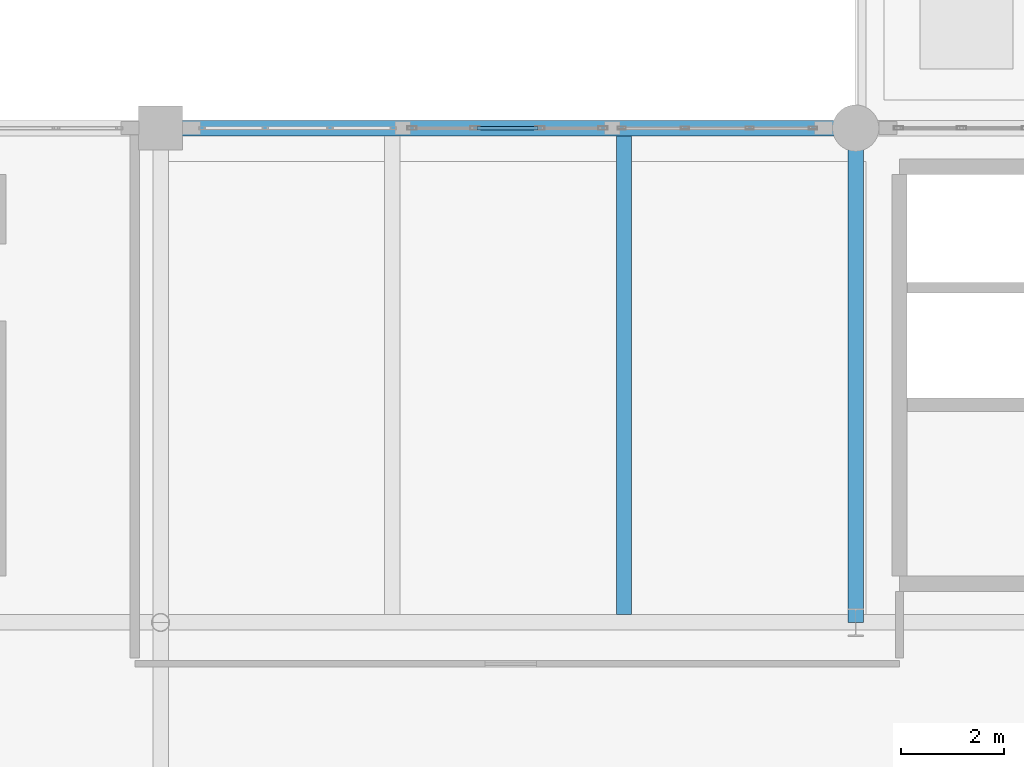
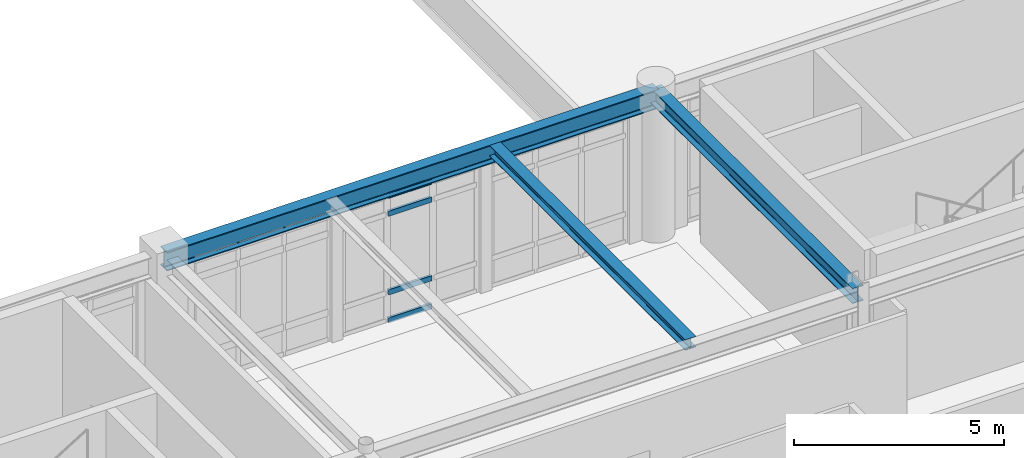
# One storey, part 15 of 55: 4 members, 3 beams, 1 element without a shape of its own.
"""IFC4 building model written with IfcOpenShell, lengths in metres."""

from ifc_helpers import new_model, si_unit, direction, frame, origin, origin_2d, place, context, subcontext, project, spatial, hollow_rectangle, i_section, extrude, material, layer, layer_set, material_profile, profile_set, type_object, element, aggregate, save


model = new_model("IFC4")

# Units and contexts
model_context = context("Model", 3, precision=1e-05, world=origin(), true_north=direction((0.0, 1.0)))
body_context = subcontext(model_context, "Body", "Model", "MODEL_VIEW")
ifc_project = project(units=[si_unit("LENGTHUNIT", "METRE"), si_unit("AREAUNIT", "SQUARE_METRE"), si_unit("VOLUMEUNIT", "CUBIC_METRE"), si_unit("PLANEANGLEUNIT", "RADIAN"), si_unit("MASSUNIT", "GRAM", prefix="KILO")], contexts=[model_context])

# Site, building, storey
site_placement = place(None, origin())
site = spatial("IfcSite", under=ifc_project, at=site_placement, CompositionType="ELEMENT")
building_placement = place(site_placement, origin())
building = spatial("IfcBuilding", under=site, at=building_placement, Name="Fikremerkos Civic Library", CompositionType="ELEMENT")
storey_placement = place(building_placement, frame((0.0, 0.0, 18.89990234375)))
storey = spatial("IfcBuildingStorey", under=building, at=storey_placement, Name="L04", CompositionType="ELEMENT", Elevation=18.89990234375)

# Curtain wall, members
ifc_material_1 = material(Name="Anodized aluminium Frame", Category="aluminium")
ifc_layer = layer(ifc_material_1, 0.159912109375, Name="Anodized aluminium Frame")
ifc_layer_set = layer_set([ifc_layer], Name="Anodized aluminium Frame")
curtain_wall_type = type_object("IfcCurtainWallType", Name="Unitised curtain wall CW-17 4600x3600", PredefinedType="USERDEFINED", material=ifc_layer_set)
curtain_wall_placement = place(storey_placement, origin())
curtain_wall = element("IfcCurtainWall", 1, at=curtain_wall_placement, inside=storey, type_object=curtain_wall_type, Name="Unitised curtain wall CW-17 L04 #233", ObjectType="UNITISED CURTAIN WALL", PredefinedType="USERDEFINED")
ifc_material_profile_1 = material_profile(ifc_material_1, hollow_rectangle(XDim=0.070068359375, YDim=0.14990234375, WallThickness=0.00439453125, at=origin_2d()), Name="ALU 150x70x4.5")
ifc_profile_set_1 = profile_set([ifc_material_profile_1], Name="Anodized aluminium Frame")
member_type = type_object("IfcMemberType", Name="Curtain transom CWT-01 ALU 150x70x4.5", PredefinedType="USERDEFINED", material=ifc_profile_set_1)
member_1_placement = place(storey_placement, frame((38.840576171875, 31.199951171875, 0.03515625), z_axis=(1.0, 0.0, 0.0), x_axis=(0.0, 1.0, 0.0)))
member_1 = element("IfcMember", 2, at=member_1_placement, type_object=member_type, Name="CW-17 transom 2.1", ObjectType="TRANSOM", PredefinedType="USERDEFINED", context=body_context, shape_type="SweptSolid", body=[
    extrude(hollow_rectangle(XDim=0.070068359375, YDim=0.14990234375, WallThickness=0.00439453125, at=origin_2d()), origin(), (0.0, 0.0, 1.0), 1.19384765625),
])
member_2_placement = place(storey_placement, frame((38.840576171875, 31.199951171875, 0.85009765625), z_axis=(1.0, 0.0, 0.0), x_axis=(0.0, 1.0, 0.0)))
member_2 = element("IfcMember", 3, at=member_2_placement, type_object=member_type, Name="CW-17 transom 2.2", ObjectType="TRANSOM", PredefinedType="USERDEFINED", context=body_context, shape_type="SweptSolid", body=[
    extrude(hollow_rectangle(XDim=0.070068359375, YDim=0.14990234375, WallThickness=0.00439453125, at=origin_2d()), origin(), (0.0, 0.0, 1.0), 1.19384765625),
])
member_3_placement = place(storey_placement, frame((38.840576171875, 31.199951171875, 3.130126953125), z_axis=(1.0, 0.0, 0.0), x_axis=(0.0, 1.0, 0.0)))
member_3 = element("IfcMember", 4, at=member_3_placement, type_object=member_type, Name="CW-17 transom 2.3", ObjectType="TRANSOM", PredefinedType="USERDEFINED", context=body_context, shape_type="SweptSolid", body=[
    extrude(hollow_rectangle(XDim=0.070068359375, YDim=0.14990234375, WallThickness=0.00439453125, at=origin_2d()), origin(), (0.0, 0.0, 1.0), 1.19384765625),
])
member_4_placement = place(storey_placement, frame((38.840576171875, 31.199951171875, 3.64501953125), z_axis=(1.0, 0.0, 0.0), x_axis=(0.0, 1.0, 0.0)))
member_4 = element("IfcMember", 5, at=member_4_placement, type_object=member_type, Name="CW-17 transom 2.4", ObjectType="TRANSOM", PredefinedType="USERDEFINED", context=body_context, shape_type="SweptSolid", body=[
    extrude(hollow_rectangle(XDim=0.070068359375, YDim=0.14990234375, WallThickness=0.00439453125, at=origin_2d()), origin(), (0.0, 0.0, 1.0), 1.19384765625),
])
aggregate(curtain_wall, [member_1, member_2, member_3, member_4])

# Beams
ifc_material_2 = material(Name="Steel S355", Category="steel")
ifc_material_profile_2 = material_profile(ifc_material_2, i_section(OverallWidth=0.300048828125, OverallDepth=0.31005859375, WebThickness=0.009033203125, FlangeThickness=0.015380859375, FilletRadius=0.027099609375, at=origin_2d()), Name="HEA 320")
ifc_profile_set_2 = profile_set([ifc_material_profile_2], Name="Steel S355")
beam_type_1 = type_object("IfcBeamType", Name="Floor joist JS-14 HEA 320", PredefinedType="JOIST", material=ifc_profile_set_2)
beam_1_placement = place(storey_placement, frame((41.699951171875, 21.75, 4.085205078125), z_axis=(0.0, 1.0, 0.0), x_axis=(-1.0, 0.0, 0.0)))
element("IfcBeam", 6, at=beam_1_placement, inside=storey, type_object=beam_type_1, Name="Floor joist JS-14 L04 #585", PredefinedType="JOIST", context=body_context, shape_type="SweptSolid", body=[
    extrude(i_section(OverallWidth=0.300048828125, OverallDepth=0.31005859375, WebThickness=0.009033203125, FlangeThickness=0.015380859375, FilletRadius=0.027099609375, at=origin_2d()), origin(), (0.0, 0.0, 1.0), 9.300048828125),
])
ifc_material_profile_3 = material_profile(ifc_material_2, i_section(OverallWidth=0.300048828125, OverallDepth=0.550048828125, WebThickness=0.014892578125, FlangeThickness=0.029052734375, FilletRadius=0.027099609375, at=origin_2d()), Name="HEB 550")
ifc_profile_set_3 = profile_set([ifc_material_profile_3], Name="Steel S355")
beam_type_2 = type_object("IfcBeamType", Name="Primary girder BM-14 HEB 550", PredefinedType="BEAM", material=ifc_profile_set_3)
beam_2_placement = place(storey_placement, frame((32.699951171875, 31.199951171875, 3.965087890625), z_axis=(1.0, 0.0, 0.0), x_axis=(0.0, 1.0, 0.0)))
element("IfcBeam", 7, at=beam_2_placement, inside=storey, type_object=beam_type_2, Name="Primary girder BM-14 L04 grid G", PredefinedType="BEAM", context=body_context, shape_type="SweptSolid", body=[
    extrude(i_section(OverallWidth=0.300048828125, OverallDepth=0.550048828125, WebThickness=0.014892578125, FlangeThickness=0.029052734375, FilletRadius=0.027099609375, at=origin_2d()), origin(), (0.0, 0.0, 1.0), 13.5),
])
ifc_material_profile_4 = material_profile(ifc_material_2, i_section(OverallWidth=0.300048828125, OverallDepth=0.43994140625, WebThickness=0.011474609375, FlangeThickness=0.02099609375, FilletRadius=0.027099609375, at=origin_2d()), Name="HEA 450")
ifc_profile_set_4 = profile_set([ifc_material_profile_4], Name="Steel S355")
beam_type_3 = type_object("IfcBeamType", Name="Primary girder BM-18 HEA 450", PredefinedType="BEAM", material=ifc_profile_set_4)
beam_3_placement = place(storey_placement, frame((46.199951171875, 21.60009765625, 4.02001953125), z_axis=(0.0, 1.0, 0.0), x_axis=(-1.0, 0.0, 0.0)))
element("IfcBeam", 8, at=beam_3_placement, inside=storey, type_object=beam_type_3, Name="Primary girder BM-18 L04 grid 5", PredefinedType="BEAM", context=body_context, shape_type="SweptSolid", body=[
    extrude(i_section(OverallWidth=0.300048828125, OverallDepth=0.43994140625, WebThickness=0.011474609375, FlangeThickness=0.02099609375, FilletRadius=0.027099609375, at=origin_2d()), origin(), (0.0, 0.0, 1.0), 9.599853515625),
])

save(model, "model.ifc")
